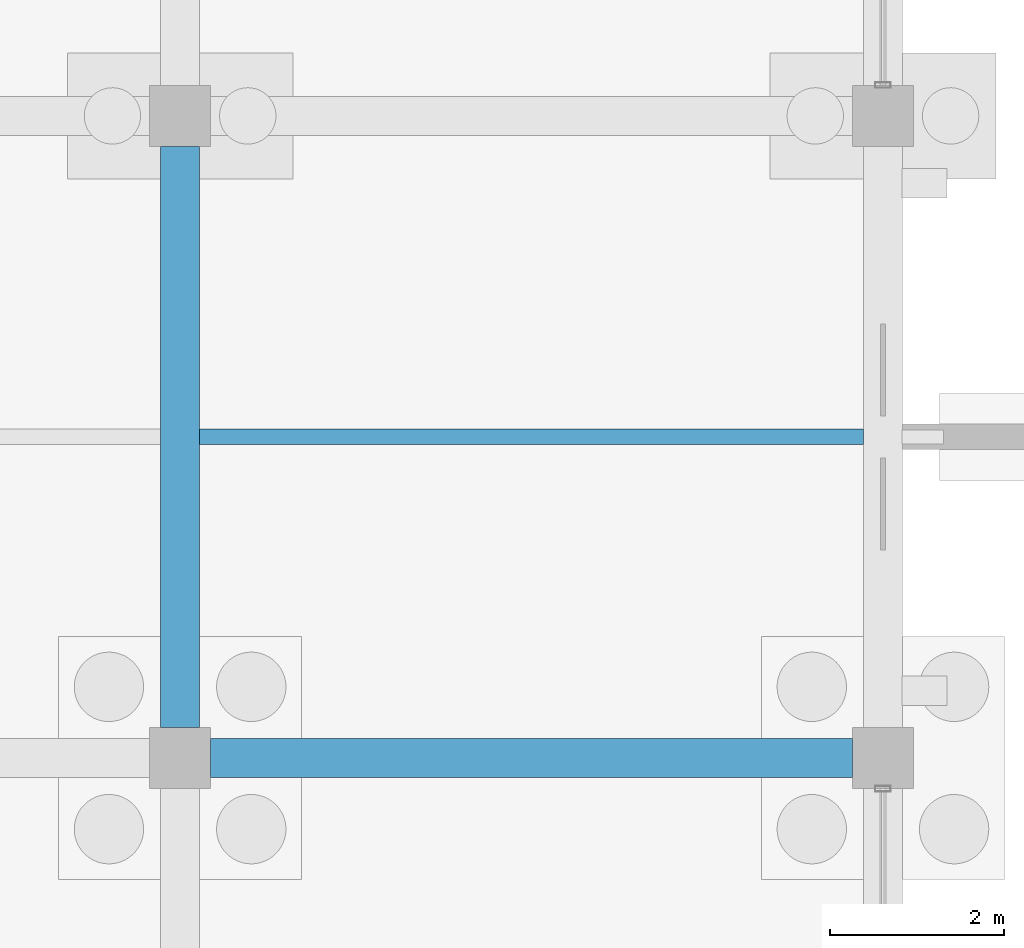
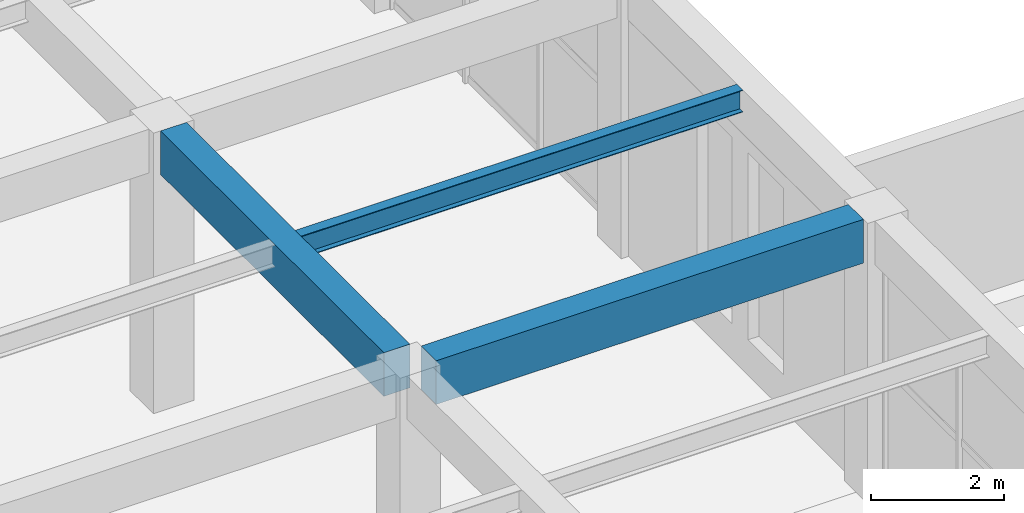
# One storey, part 79 of 140: 3 beams.
"""IFC4 building model written with IfcOpenShell, lengths in metres."""

from ifc_helpers import new_model, si_unit, direction, frame, origin, origin_2d, place, context, subcontext, project, spatial, rectangle, i_section, extrude, material, material_profile, profile_set, type_object, element, save


model = new_model("IFC4")

# Units and contexts
model_context = context("Model", 3, precision=1e-05, world=origin(), true_north=direction((0.0, 1.0)))
body_context = subcontext(model_context, "Body", "Model", "MODEL_VIEW")
ifc_project = project(units=[si_unit("LENGTHUNIT", "METRE"), si_unit("AREAUNIT", "SQUARE_METRE"), si_unit("VOLUMEUNIT", "CUBIC_METRE"), si_unit("PLANEANGLEUNIT", "RADIAN"), si_unit("MASSUNIT", "GRAM", prefix="KILO")], contexts=[model_context])

# Site, building, storey
site_placement = place(None, origin())
site = spatial("IfcSite", under=ifc_project, at=site_placement, CompositionType="ELEMENT")
building_placement = place(site_placement, origin())
building = spatial("IfcBuilding", under=site, at=building_placement, Name="Cimatlan Art Gallery", CompositionType="ELEMENT")
storey_placement = place(building_placement, origin())
storey = spatial("IfcBuildingStorey", under=building, at=storey_placement, Name="L00", CompositionType="ELEMENT", Elevation=0.0)

# Beams
ifc_material_1 = material(Name="Concrete C40/50", Category="concrete")
ifc_material_profile_1 = material_profile(ifc_material_1, rectangle(XDim=0.449951171875, YDim=0.800048828125, at=origin_2d()), Name="RC450X800")
ifc_profile_set_1 = profile_set([ifc_material_profile_1], Name="Concrete C40/50")
beam_type_1 = type_object("IfcBeamType", Name="BM-RC-450X800", PredefinedType="BEAM", material=ifc_profile_set_1)
beam_1_placement = place(storey_placement, frame((123.5, 68.64990234375, 4.735107421875), z_axis=(0.0, 1.0, 0.0), x_axis=(-1.0, 0.0, 0.0)))
element("IfcBeam", 1, at=beam_1_placement, inside=storey, type_object=beam_type_1, Name="BM-Y-L00-15-09", PredefinedType="BEAM", context=body_context, shape_type="SweptSolid", body=[
    extrude(rectangle(XDim=0.449951171875, YDim=0.800048828125, at=origin_2d()), origin(), (0.0, 0.0, 1.0), 6.7001953125),
])
beam_2_placement = place(storey_placement, frame((123.85009765625, 68.300048828125, 4.735107421875), z_axis=(1.0, 0.0, 0.0), x_axis=(0.0, 1.0, 0.0)))
element("IfcBeam", 2, at=beam_2_placement, inside=storey, type_object=beam_type_1, Name="BM-X-L00-15-09", PredefinedType="BEAM", context=body_context, shape_type="SweptSolid", body=[
    extrude(rectangle(XDim=0.449951171875, YDim=0.800048828125, at=origin_2d()), origin(), (0.0, 0.0, 1.0), 7.39990234375),
])
ifc_material_2 = material(Name="Steel ASTM A992 Grade 50", Category="steel")
ifc_material_profile_2 = material_profile(ifc_material_2, i_section(OverallWidth=0.177978515625, OverallDepth=0.406982421875, WebThickness=0.0078125, FlangeThickness=0.0126953125, at=origin_2d()), Name="W16X40")
ifc_profile_set_2 = profile_set([ifc_material_profile_2], Name="Steel ASTM A992 Grade 50")
beam_type_2 = type_object("IfcBeamType", Name="BM-STL-W16X40", PredefinedType="JOIST", material=ifc_profile_set_2)
beam_3_placement = place(storey_placement, frame((123.72509765625, 72.0, 4.931396484375), z_axis=(1.0, 0.0, 0.0), x_axis=(0.0, 1.0, 0.0)))
element("IfcBeam", 3, at=beam_3_placement, inside=storey, type_object=beam_type_2, Name="JST-L00-15-09", PredefinedType="JOIST", context=body_context, shape_type="SweptSolid", body=[
    extrude(i_section(OverallWidth=0.177978515625, OverallDepth=0.406982421875, WebThickness=0.0078125, FlangeThickness=0.0126953125, at=origin_2d()), origin(), (0.0, 0.0, 1.0), 7.64990234375),
])

save(model, "model.ifc")
